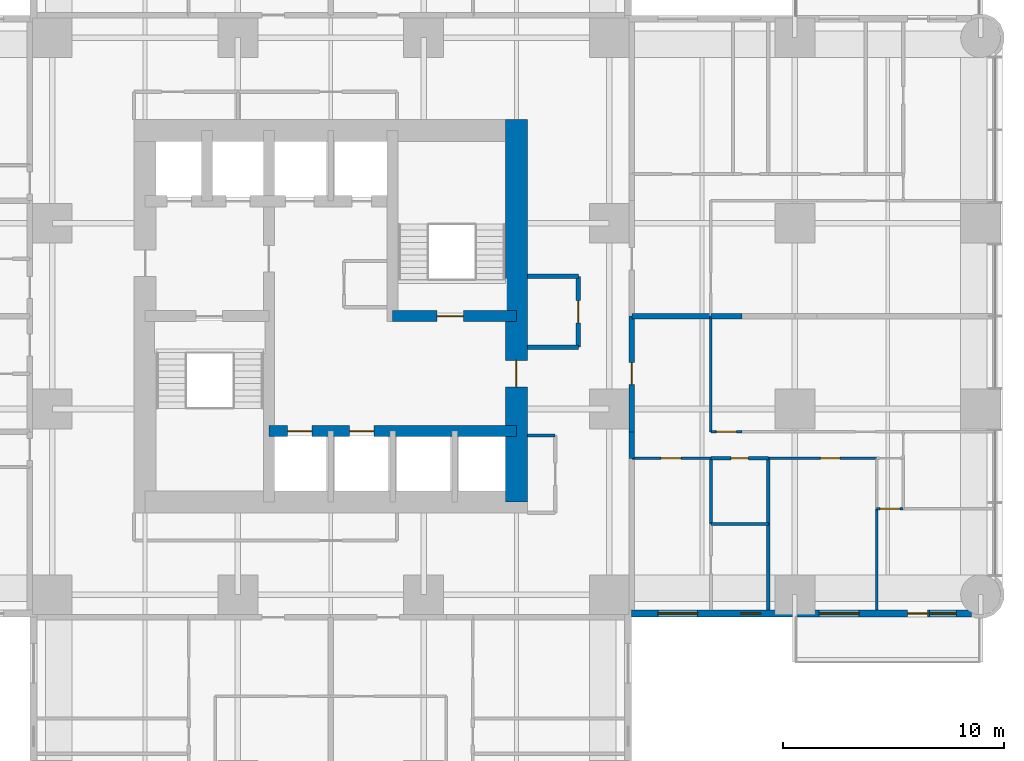
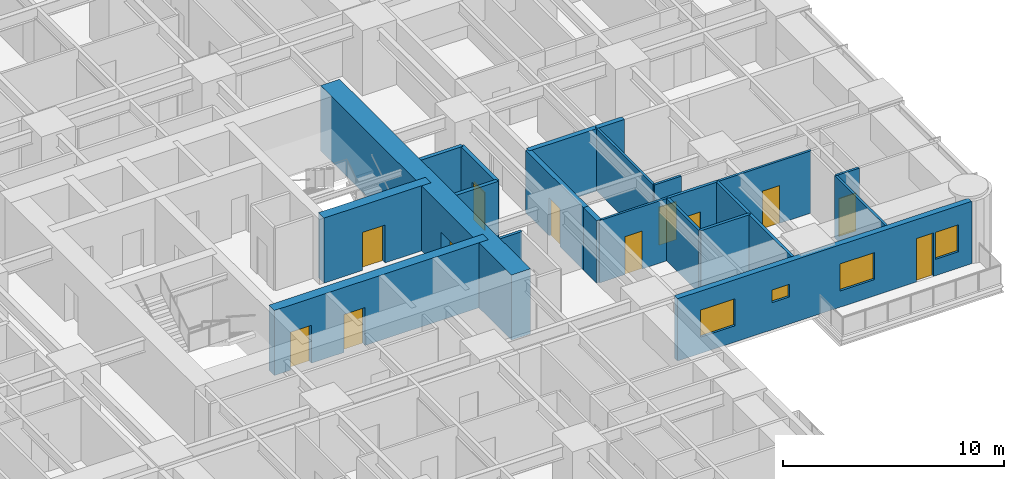
# One storey, part 10 of 17: 23 walls, 12 doors, 4 windows, 16 openings.
"""IFC4 building model written with IfcOpenShell, lengths in metres."""

from ifc_helpers import new_model, si_unit, direction, frame, frame_2d, origin, place, context, subcontext, project, spatial, rectangle, extrude, material, layer, layer_set, type_object, element, fill, save


model = new_model("IFC4")

# Units and contexts
model_context = context("Model", 3, precision=1e-05, world=origin(), true_north=direction((0.0, 1.0)))
body_context = subcontext(model_context, "Body", "Model", "MODEL_VIEW")
ifc_project = project(units=[si_unit("LENGTHUNIT", "METRE"), si_unit("AREAUNIT", "SQUARE_METRE"), si_unit("VOLUMEUNIT", "CUBIC_METRE"), si_unit("PLANEANGLEUNIT", "RADIAN"), si_unit("MASSUNIT", "GRAM", prefix="KILO")], contexts=[model_context])

# Site, building, storey
site_placement = place(None, origin())
site = spatial("IfcSite", under=ifc_project, at=site_placement, CompositionType="ELEMENT")
building_placement = place(site_placement, origin())
building = spatial("IfcBuilding", under=site, at=building_placement, Name="Torre Alcanfor", CompositionType="ELEMENT")
storey_placement = place(building_placement, frame((0.0, 0.0, 77.699951171875)))
storey = spatial("IfcBuildingStorey", under=building, at=storey_placement, Name="L19", CompositionType="ELEMENT", Elevation=77.699951171875)

# Wall, opening, door
ifc_material_1 = material(Name="Concrete block masonry, hollow blocks NMX-C-404 9 MPa", Category="masonry")
ifc_layer_1 = layer(ifc_material_1, 0.25)
ifc_layer_set_1 = layer_set([ifc_layer_1], Name="Apartment entrance wall 250 EI 60")
wall_type_1 = type_object("IfcWallType", Name="Apartment entrance wall 250 EI 60", PredefinedType="PARTITIONING", material=ifc_layer_set_1)
wall_1_placement = place(storey_placement, frame((43.02490234375, 29.39990234375, 0.0), z_axis=(0.0, 0.0, 1.0), x_axis=(0.0, -1.0, 0.0)))
wall_1 = element("IfcWall", 1, at=wall_1_placement, inside=storey, type_object=wall_type_1, Name="Partition L19-CORR / L19-E2-ZAG", PredefinedType="PARTITIONING", context=body_context, shape_type="SweptSolid", body=[
    extrude(rectangle(XDim=5.22900390625, YDim=0.25, at=frame_2d((2.614501953125, 0.0))), origin(), (0.0, 0.0, 1.0), 3.449951171875),
])
opening_1_placement = place(wall_1_placement, frame((2.10009765625, 0.0, 0.0)))
opening_1 = element("IfcOpeningElement", 2, at=opening_1_placement, cuts=wall_1, Name="Opening D-A1", PredefinedType="OPENING", context=body_context, shape_type="SweptSolid", body=[
    extrude(rectangle(XDim=1.0, YDim=2.10009765625, at=frame_2d((0.5, 1.050048828125))), frame((0.0, 0.135009765625, 0.0), z_axis=(0.0, -1.0, 0.0), x_axis=(1.0, 0.0, 0.0)), (0.0, 0.0, 1.0), 0.27001953125),
])
ifc_material_2 = material(Name="Galvanised steel sheet ASTM A653", Category="steel")
door_type_1 = type_object("IfcDoorType", Name="Apartment entrance door FD60 1000x2100", OperationType="SINGLE_SWING_LEFT", PredefinedType="DOOR", material=ifc_material_2)
door_1_placement = place(opening_1_placement, origin())
door_1 = element("IfcDoor", 3, at=door_1_placement, inside=storey, type_object=door_type_1, Name="Apartment entrance L19-E2", OperationType="SINGLE_SWING_LEFT", OverallHeight=2.10009765625, OverallWidth=1.0, PredefinedType="DOOR", context=body_context, shape_type="SweptSolid", body=[
    extrude(rectangle(XDim=1.0, YDim=2.10009765625, at=frame_2d((0.5, 1.050048828125))), frame((0.0, 0.02490234375, 0.0), z_axis=(0.0, -1.0, 0.0), x_axis=(1.0, 0.0, 0.0)), (0.0, 0.0, 1.0), 0.050048828125),
])
fill(opening_1, door_1)

# Walls
wall_2_placement = place(storey_placement, frame((43.02490234375, 24.1708984375, 0.0), z_axis=(0.0, 0.0, 1.0), x_axis=(0.0, -1.0, 0.0)))
element("IfcWall", 4, at=wall_2_placement, inside=storey, type_object=wall_type_1, Name="Partition L19-CORR / L19-E2-HALL", PredefinedType="PARTITIONING", context=body_context, shape_type="SweptSolid", body=[
    extrude(rectangle(XDim=1.199951171875, YDim=0.25, at=frame_2d((0.60009765625, 0.0))), origin(), (0.0, 0.0, 1.0), 3.449951171875),
])
ifc_material_3 = material(Name="Gypsum board on steel studs", Category="steel")
ifc_layer_2 = layer(ifc_material_3, 0.1201171875)
ifc_layer_set_2 = layer_set([ifc_layer_2], Name="Apartment partition 120")
wall_type_2 = type_object("IfcWallType", Name="Apartment partition 120", PredefinedType="PARTITIONING", material=ifc_layer_set_2)
wall_3_placement = place(storey_placement, frame((46.60009765625, 29.39990234375, 0.0), z_axis=(0.0, 0.0, 1.0), x_axis=(0.0, -1.0, 0.0)))
element("IfcWall", 5, at=wall_3_placement, inside=storey, type_object=wall_type_2, Name="Partition L19-E2-ZAG / L19-E2-LAUND", PredefinedType="PARTITIONING", context=body_context, shape_type="SweptSolid", body=[
    extrude(rectangle(XDim=5.22900390625, YDim=0.1201171875, at=frame_2d((2.614501953125, 0.0))), origin(), (0.0, 0.0, 1.0), 3.449951171875),
])

# Wall, opening, door
wall_4_placement = place(storey_placement, frame((48.0, 24.1708984375, 0.0), z_axis=(0.0, 0.0, 1.0), x_axis=(-1.0, 0.0, 0.0)))
wall_4 = element("IfcWall", 6, at=wall_4_placement, inside=storey, type_object=wall_type_2, Name="Partition L19-E2-LAUND / L19-E2-HALL", PredefinedType="PARTITIONING", context=body_context, shape_type="SweptSolid", body=[
    extrude(rectangle(XDim=1.39990234375, YDim=0.1201171875, at=frame_2d((0.699951171875, 0.0))), origin(), (0.0, 0.0, 1.0), 3.449951171875),
])
opening_2_placement = place(wall_4_placement, frame((0.25, 0.0, 0.0)))
opening_2 = element("IfcOpeningElement", 7, at=opening_2_placement, cuts=wall_4, Name="Opening D-R1", PredefinedType="OPENING", context=body_context, shape_type="SweptSolid", body=[
    extrude(rectangle(XDim=0.89990234375, YDim=2.10009765625, at=frame_2d((0.449951171875, 1.050048828125))), frame((0.0, 0.070068359375, 0.0), z_axis=(0.0, -1.0, 0.0), x_axis=(1.0, 0.0, 0.0)), (0.0, 0.0, 1.0), 0.14013671875),
])
ifc_material_4 = material(Name="Timber", Category="wood")
door_type_2 = type_object("IfcDoorType", Name="Internal door 900x2100", OperationType="SINGLE_SWING_LEFT", PredefinedType="DOOR", material=ifc_material_4)
door_2_placement = place(opening_2_placement, frame((0.89990234375, 0.0, 0.0), z_axis=(0.0, 0.0, 1.0), x_axis=(-1.0, 0.0, 0.0)))
door_2 = element("IfcDoor", 8, at=door_2_placement, inside=storey, type_object=door_type_2, Name="Door L19-E2 laund", OperationType="SINGLE_SWING_RIGHT", OverallHeight=2.10009765625, OverallWidth=0.89990234375, PredefinedType="DOOR", context=body_context, shape_type="SweptSolid", body=[
    extrude(rectangle(XDim=0.89990234375, YDim=2.10009765625, at=frame_2d((0.449951171875, 1.050048828125))), frame((0.0, 0.025146484375, 0.0), z_axis=(0.0, -1.0, 0.0), x_axis=(1.0, 0.0, 0.0)), (0.0, 0.0, 1.0), 0.050048828125),
])
fill(opening_2, door_2)

wall_5_placement = place(storey_placement, frame((46.60009765625, 22.970947265625, 0.0), z_axis=(0.0, 0.0, 1.0), x_axis=(-1.0, 0.0, 0.0)))
wall_5 = element("IfcWall", 9, at=wall_5_placement, inside=storey, type_object=wall_type_2, Name="Partition L19-E2-HALL / L19-E2-SERV", PredefinedType="PARTITIONING", context=body_context, shape_type="SweptSolid", body=[
    extrude(rectangle(XDim=3.5751953125, YDim=0.1201171875, at=frame_2d((1.78759765625, 0.0))), origin(), (0.0, 0.0, 1.0), 3.449951171875),
])
opening_3_placement = place(wall_5_placement, frame((1.35009765625, 0.0, 0.0)))
opening_3 = element("IfcOpeningElement", 10, at=opening_3_placement, cuts=wall_5, Name="Opening D-R1", PredefinedType="OPENING", context=body_context, shape_type="SweptSolid", body=[
    extrude(rectangle(XDim=0.89990234375, YDim=2.10009765625, at=frame_2d((0.449951171875, 1.050048828125))), frame((0.0, 0.070068359375, 0.0), z_axis=(0.0, -1.0, 0.0), x_axis=(1.0, 0.0, 0.0)), (0.0, 0.0, 1.0), 0.14013671875),
])
door_3_placement = place(opening_3_placement, origin())
door_3 = element("IfcDoor", 11, at=door_3_placement, inside=storey, type_object=door_type_2, Name="Door L19-E2 serv", OperationType="SINGLE_SWING_RIGHT", OverallHeight=2.10009765625, OverallWidth=0.89990234375, PredefinedType="DOOR", context=body_context, shape_type="SweptSolid", body=[
    extrude(rectangle(XDim=0.89990234375, YDim=2.10009765625, at=frame_2d((0.449951171875, 1.050048828125))), frame((0.0, 0.02490234375, 0.0), z_axis=(0.0, -1.0, 0.0), x_axis=(1.0, 0.0, 0.0)), (0.0, 0.0, 1.0), 0.050048828125),
])
fill(opening_3, door_3)

wall_6_placement = place(storey_placement, frame((54.10009765625, 22.970947265625, 0.0), z_axis=(0.0, 0.0, 1.0), x_axis=(-1.0, 0.0, 0.0)))
wall_6 = element("IfcWall", 12, at=wall_6_placement, inside=storey, type_object=wall_type_2, Name="Partition L19-E2-HALL / L19-E2-BED3", PredefinedType="PARTITIONING", context=body_context, shape_type="SweptSolid", body=[
    extrude(rectangle(XDim=4.900146484375, YDim=0.1201171875, at=frame_2d((2.4501953125, 0.0))), origin(), (0.0, 0.0, 1.0), 3.449951171875),
])
opening_4_placement = place(wall_6_placement, frame((1.64990234375, 0.0, 0.0)))
opening_4 = element("IfcOpeningElement", 13, at=opening_4_placement, cuts=wall_6, Name="Opening D-R1", PredefinedType="OPENING", context=body_context, shape_type="SweptSolid", body=[
    extrude(rectangle(XDim=0.89990234375, YDim=2.10009765625, at=frame_2d((0.449951171875, 1.050048828125))), frame((0.0, 0.070068359375, 0.0), z_axis=(0.0, -1.0, 0.0), x_axis=(1.0, 0.0, 0.0)), (0.0, 0.0, 1.0), 0.14013671875),
])
door_4_placement = place(opening_4_placement, origin())
door_4 = element("IfcDoor", 14, at=door_4_placement, inside=storey, type_object=door_type_2, Name="Door L19-E2 bed3", OperationType="SINGLE_SWING_LEFT", OverallHeight=2.10009765625, OverallWidth=0.89990234375, PredefinedType="DOOR", context=body_context, shape_type="SweptSolid", body=[
    extrude(rectangle(XDim=0.89990234375, YDim=2.10009765625, at=frame_2d((0.449951171875, 1.050048828125))), frame((0.0, 0.02490234375, 0.0), z_axis=(0.0, -1.0, 0.0), x_axis=(1.0, 0.0, 0.0)), (0.0, 0.0, 1.0), 0.050048828125),
])
fill(opening_4, door_4)

# Wall
wall_7_placement = place(storey_placement, frame((54.10009765625, 20.68603515625, 0.0), z_axis=(0.0, 0.0, 1.0), x_axis=(0.0, -1.0, 0.0)))
element("IfcWall", 15, at=wall_7_placement, inside=storey, type_object=wall_type_2, Name="Partition L19-E2-BED3 / L19-E2-MASTER", PredefinedType="PARTITIONING", context=body_context, shape_type="SweptSolid", body=[
    extrude(rectangle(XDim=4.5859375, YDim=0.1201171875, at=frame_2d((2.29296875, 0.0))), origin(), (0.0, 0.0, 1.0), 3.449951171875),
])

# Wall, opening, door
wall_8_placement = place(storey_placement, frame((55.300048828125, 20.68603515625, 0.0), z_axis=(0.0, 0.0, 1.0), x_axis=(-1.0, 0.0, 0.0)))
wall_8 = element("IfcWall", 16, at=wall_8_placement, inside=storey, type_object=wall_type_2, Name="Partition L19-E2-VEST / L19-E2-MASTER", PredefinedType="PARTITIONING", context=body_context, shape_type="SweptSolid", body=[
    extrude(rectangle(XDim=1.199951171875, YDim=0.1201171875, at=frame_2d((0.60009765625, 0.0))), origin(), (0.0, 0.0, 1.0), 3.449951171875),
])
opening_5_placement = place(wall_8_placement, frame((0.14990234375, 0.0, 0.0)))
opening_5 = element("IfcOpeningElement", 17, at=opening_5_placement, cuts=wall_8, Name="Opening D-R1", PredefinedType="OPENING", context=body_context, shape_type="SweptSolid", body=[
    extrude(rectangle(XDim=0.89990234375, YDim=2.10009765625, at=frame_2d((0.449951171875, 1.050048828125))), frame((0.0, 0.070068359375, 0.0), z_axis=(0.0, -1.0, 0.0), x_axis=(1.0, 0.0, 0.0)), (0.0, 0.0, 1.0), 0.14013671875),
])
door_5_placement = place(opening_5_placement, frame((0.89990234375, 0.0, 0.0), z_axis=(0.0, 0.0, 1.0), x_axis=(-1.0, 0.0, 0.0)))
door_5 = element("IfcDoor", 18, at=door_5_placement, inside=storey, type_object=door_type_2, Name="Door L19-E2 master", OperationType="SINGLE_SWING_RIGHT", OverallHeight=2.10009765625, OverallWidth=0.89990234375, PredefinedType="DOOR", context=body_context, shape_type="SweptSolid", body=[
    extrude(rectangle(XDim=0.89990234375, YDim=2.10009765625, at=frame_2d((0.449951171875, 1.050048828125))), frame((0.0, 0.025146484375, 0.0), z_axis=(0.0, -1.0, 0.0), x_axis=(1.0, 0.0, 0.0)), (0.0, 0.0, 1.0), 0.050048828125),
])
fill(opening_5, door_5)

# Wall, openings, doors
ifc_material_5 = material(Name="Concrete f'c 70 MPa", Category="concrete")
ifc_layer_3 = layer(ifc_material_5, 0.5)
ifc_layer_set_3 = layer_set([ifc_layer_3], Name="Core inner wall 500 f'c70")
wall_type_3 = type_object("IfcWallType", Name="Core inner wall 500 f'c70", PredefinedType="SHEAR", material=ifc_layer_set_3)
wall_9_placement = place(storey_placement, frame((26.60009765625, 24.199951171875, 0.0), z_axis=(0.0, 0.0, 1.0), x_axis=(1.0, 0.0, 0.0)))
wall_9 = element("IfcWall", 19, at=wall_9_placement, inside=storey, type_object=wall_type_3, Name="Core wall Y242 L19", PredefinedType="SHEAR", context=body_context, shape_type="SweptSolid", body=[
    extrude(rectangle(XDim=11.199951171875, YDim=0.5, at=frame_2d((5.60009765625, 0.0))), origin(), (0.0, 0.0, 1.0), 3.60009765625),
])
opening_6_placement = place(wall_9_placement, frame((0.85009765625, 0.0, 0.0)))
opening_6 = element("IfcOpeningElement", 20, at=opening_6_placement, cuts=wall_9, Name="Opening LD1", PredefinedType="OPENING", context=body_context, shape_type="SweptSolid", body=[
    extrude(rectangle(XDim=1.10009765625, YDim=2.10009765625, at=frame_2d((0.550048828125, 1.050048828125))), frame((0.0, 0.260009765625, 0.0), z_axis=(0.0, -1.0, 0.0), x_axis=(1.0, 0.0, 0.0)), (0.0, 0.0, 1.0), 0.52001953125),
])
opening_7_placement = place(wall_9_placement, frame((3.64990234375, 0.0, 0.0)))
opening_7 = element("IfcOpeningElement", 21, at=opening_7_placement, cuts=wall_9, Name="Opening LD1", PredefinedType="OPENING", context=body_context, shape_type="SweptSolid", body=[
    extrude(rectangle(XDim=1.10009765625, YDim=2.10009765625, at=frame_2d((0.550048828125, 1.050048828125))), frame((0.0, 0.260009765625, 0.0), z_axis=(0.0, -1.0, 0.0), x_axis=(1.0, 0.0, 0.0)), (0.0, 0.0, 1.0), 0.52001953125),
])
ifc_material_6 = material(Name="Galvanised steel sheet ASTM A653", Category="steel")
door_type_3 = type_object("IfcDoorType", Name="Lift landing door 1100x2100", OperationType="DOUBLE_DOOR_SLIDING", PredefinedType="DOOR", material=ifc_material_6)
door_6_placement = place(opening_6_placement, origin())
door_6 = element("IfcDoor", 22, at=door_6_placement, inside=storey, type_object=door_type_3, Name="Lift landing door PA1 L19", OperationType="DOUBLE_DOOR_SLIDING", OverallHeight=2.10009765625, OverallWidth=1.10009765625, PredefinedType="DOOR", context=body_context, shape_type="SweptSolid", body=[
    extrude(rectangle(XDim=1.10009765625, YDim=2.10009765625, at=frame_2d((0.550048828125, 1.050048828125))), frame((0.0, 0.02490234375, 0.0), z_axis=(0.0, -1.0, 0.0), x_axis=(1.0, 0.0, 0.0)), (0.0, 0.0, 1.0), 0.050048828125),
])
fill(opening_6, door_6)
door_7_placement = place(opening_7_placement, origin())
door_7 = element("IfcDoor", 23, at=door_7_placement, inside=storey, type_object=door_type_3, Name="Lift landing door PA2 L19", OperationType="DOUBLE_DOOR_SLIDING", OverallHeight=2.10009765625, OverallWidth=1.10009765625, PredefinedType="DOOR", context=body_context, shape_type="SweptSolid", body=[
    extrude(rectangle(XDim=1.10009765625, YDim=2.10009765625, at=frame_2d((0.550048828125, 1.050048828125))), frame((0.0, 0.02490234375, 0.0), z_axis=(0.0, -1.0, 0.0), x_axis=(1.0, 0.0, 0.0)), (0.0, 0.0, 1.0), 0.050048828125),
])
fill(opening_7, door_7)

# Wall, opening, door
wall_10_placement = place(storey_placement, frame((32.199951171875, 29.39990234375, 0.0), z_axis=(0.0, 0.0, 1.0), x_axis=(1.0, 0.0, 0.0)))
wall_10 = element("IfcWall", 24, at=wall_10_placement, inside=storey, type_object=wall_type_3, Name="Core wall Y294E L19", PredefinedType="SHEAR", context=body_context, shape_type="SweptSolid", body=[
    extrude(rectangle(XDim=5.60009765625, YDim=0.5, at=frame_2d((2.800048828125, 0.0))), origin(), (0.0, 0.0, 1.0), 3.60009765625),
])
opening_8_placement = place(wall_10_placement, frame((2.0, 0.0, 0.0)))
opening_8 = element("IfcOpeningElement", 25, at=opening_8_placement, cuts=wall_10, Name="Opening D-S2", PredefinedType="OPENING", context=body_context, shape_type="SweptSolid", body=[
    extrude(rectangle(XDim=1.199951171875, YDim=2.10009765625, at=frame_2d((0.60009765625, 1.050048828125))), frame((0.0, 0.260009765625, 0.0), z_axis=(0.0, -1.0, 0.0), x_axis=(1.0, 0.0, 0.0)), (0.0, 0.0, 1.0), 0.52001953125),
])
ifc_material_7 = material(Name="Galvanised steel sheet ASTM A653", Category="steel")
door_type_4 = type_object("IfcDoorType", Name="Stair enclosure door FD120 1200x2100", OperationType="SINGLE_SWING_LEFT", PredefinedType="DOOR", material=ifc_material_7)
door_8_placement = place(opening_8_placement, origin())
door_8 = element("IfcDoor", 26, at=door_8_placement, inside=storey, type_object=door_type_4, Name="Stair S2 door L19", OperationType="SINGLE_SWING_LEFT", OverallHeight=2.10009765625, OverallWidth=1.199951171875, PredefinedType="DOOR", context=body_context, shape_type="SweptSolid", body=[
    extrude(rectangle(XDim=1.199951171875, YDim=2.10009765625, at=frame_2d((0.60009765625, 1.050048828125))), frame((0.0, 0.02490234375, 0.0), z_axis=(0.0, -1.0, 0.0), x_axis=(1.0, 0.0, 0.0)), (0.0, 0.0, 1.0), 0.050048828125),
])
fill(opening_8, door_8)

ifc_material_8 = material(Name="Concrete f'c 70 MPa", Category="concrete")
ifc_layer_4 = layer(ifc_material_8, 1.0)
ifc_layer_set_4 = layer_set([ifc_layer_4], Name="Core wall 1000 f'c70")
wall_type_4 = type_object("IfcWallType", Name="Core wall 1000 f'c70", PredefinedType="SHEAR", material=ifc_layer_set_4)
wall_11_placement = place(storey_placement, frame((37.800048828125, 21.0, 0.0), z_axis=(0.0, 0.0, 1.0), x_axis=(0.0, 1.0, 0.0)))
wall_11 = element("IfcWall", 27, at=wall_11_placement, inside=storey, type_object=wall_type_4, Name="Core wall OUT-E L19", PredefinedType="SHEAR", context=body_context, shape_type="SweptSolid", body=[
    extrude(rectangle(XDim=17.300048828125, YDim=1.0, at=frame_2d((8.64990234375, 0.0))), origin(), (0.0, 0.0, 1.0), 3.60009765625),
])
opening_9_placement = place(wall_11_placement, frame((5.199951171875, 0.0, 0.0)))
opening_9 = element("IfcOpeningElement", 28, at=opening_9_placement, cuts=wall_11, Name="Opening D-L1", PredefinedType="OPENING", context=body_context, shape_type="SweptSolid", body=[
    extrude(rectangle(XDim=1.199951171875, YDim=2.10009765625, at=frame_2d((0.60009765625, 1.050048828125))), frame((0.0, 0.510009765625, 0.0), z_axis=(0.0, -1.0, 0.0), x_axis=(1.0, 0.0, 0.0)), (0.0, 0.0, 1.0), 1.02001953125),
])
ifc_material_9 = material(Name="Galvanised steel sheet ASTM A653", Category="steel")
door_type_5 = type_object("IfcDoorType", Name="Lobby door FD120 1200x2100", OperationType="SINGLE_SWING_LEFT", PredefinedType="DOOR", material=ifc_material_9)
door_9_placement = place(opening_9_placement, origin())
door_9 = element("IfcDoor", 29, at=door_9_placement, inside=storey, type_object=door_type_5, Name="Lift lobby entrance door L19", OperationType="SINGLE_SWING_LEFT", OverallHeight=2.10009765625, OverallWidth=1.199951171875, PredefinedType="DOOR", context=body_context, shape_type="SweptSolid", body=[
    extrude(rectangle(XDim=1.199951171875, YDim=2.10009765625, at=frame_2d((0.60009765625, 1.050048828125))), frame((0.0, 0.02490234375, 0.0), z_axis=(0.0, -1.0, 0.0), x_axis=(1.0, 0.0, 0.0)), (0.0, 0.0, 1.0), 0.050048828125),
])
fill(opening_9, door_9)

# Wall, openings, door, windows
ifc_material_10 = material(Name="Limestone cladding", Category="masonry")
ifc_layer_5 = layer(ifc_material_10, 0.0400390625, Name="Facing")
ifc_material_11 = material(Name="Ventilated air cavity")
ifc_layer_6 = layer(ifc_material_11, 0.02001953125, ventilated=True, Name="Ventilated joint")
ifc_material_12 = material(Name="Mineral wool insulation", Category="insulation")
ifc_layer_7 = layer(ifc_material_12, 0.10009765625, Name="Insulation")
ifc_material_13 = material(Name="Concrete f'c 35 MPa", Category="concrete")
ifc_layer_8 = layer(ifc_material_13, 0.139892578125, Name="Backing")
ifc_layer_set_5 = layer_set([ifc_layer_5, ifc_layer_6, ifc_layer_7, ifc_layer_8], Name="External wall stone-clad 300")
wall_type_5 = type_object("IfcWallType", Name="External wall stone-clad 300", PredefinedType="SOLIDWALL", material=ifc_layer_set_5)
wall_12_placement = place(storey_placement, frame((43.0, 15.949951171875, 0.0), z_axis=(0.0, 0.0, 1.0), x_axis=(1.0, 0.0, 0.0)))
wall_12 = element("IfcWall", 30, at=wall_12_placement, inside=storey, type_object=wall_type_5, Name="External wall L19 7", PredefinedType="SOLIDWALL", context=body_context, shape_type="SweptSolid", body=[
    extrude(rectangle(XDim=15.39990234375, YDim=0.300048828125, at=frame_2d((7.699951171875, 0.0))), origin(), (0.0, 0.0, 1.0), 3.449951171875),
])
opening_10_placement = place(wall_12_placement, frame((1.199951171875, 0.0, 0.89990234375)))
opening_10 = element("IfcOpeningElement", 31, at=opening_10_placement, cuts=wall_12, Name="Opening W2", PredefinedType="OPENING", context=body_context, shape_type="SweptSolid", body=[
    extrude(rectangle(XDim=1.800048828125, YDim=1.5, at=frame_2d((0.89990234375, 0.75))), frame((0.0, 0.159912109375, 0.0), z_axis=(0.0, -1.0, 0.0), x_axis=(1.0, 0.0, 0.0)), (0.0, 0.0, 1.0), 0.320068359375),
])
opening_11_placement = place(wall_12_placement, frame((4.949951171875, 0.0, 1.5)))
opening_11 = element("IfcOpeningElement", 32, at=opening_11_placement, cuts=wall_12, Name="Opening W3", PredefinedType="OPENING", context=body_context, shape_type="SweptSolid", body=[
    extrude(rectangle(XDim=0.89990234375, YDim=0.699951171875, at=frame_2d((0.449951171875, 0.35009765625))), frame((0.0, 0.159912109375, 0.0), z_axis=(0.0, -1.0, 0.0), x_axis=(1.0, 0.0, 0.0)), (0.0, 0.0, 1.0), 0.320068359375),
])
opening_12_placement = place(wall_12_placement, frame((8.5, 0.0, 0.89990234375)))
opening_12 = element("IfcOpeningElement", 33, at=opening_12_placement, cuts=wall_12, Name="Opening W2", PredefinedType="OPENING", context=body_context, shape_type="SweptSolid", body=[
    extrude(rectangle(XDim=1.800048828125, YDim=1.5, at=frame_2d((0.89990234375, 0.75))), frame((0.0, 0.159912109375, 0.0), z_axis=(0.0, -1.0, 0.0), x_axis=(1.0, 0.0, 0.0)), (0.0, 0.0, 1.0), 0.320068359375),
])
opening_13_placement = place(wall_12_placement, frame((12.5, 0.0, 0.0)))
opening_13 = element("IfcOpeningElement", 34, at=opening_13_placement, cuts=wall_12, Name="Opening D-B1", PredefinedType="OPENING", context=body_context, shape_type="SweptSolid", body=[
    extrude(rectangle(XDim=0.89990234375, YDim=2.39990234375, at=frame_2d((0.449951171875, 1.199951171875))), frame((0.0, 0.159912109375, 0.0), z_axis=(0.0, -1.0, 0.0), x_axis=(1.0, 0.0, 0.0)), (0.0, 0.0, 1.0), 0.320068359375),
])
opening_14_placement = place(wall_12_placement, frame((13.5, 0.0, 0.89990234375)))
opening_14 = element("IfcOpeningElement", 35, at=opening_14_placement, cuts=wall_12, Name="Opening W4", PredefinedType="OPENING", context=body_context, shape_type="SweptSolid", body=[
    extrude(rectangle(XDim=1.199951171875, YDim=1.5, at=frame_2d((0.60009765625, 0.75))), frame((0.0, 0.159912109375, 0.0), z_axis=(0.0, -1.0, 0.0), x_axis=(1.0, 0.0, 0.0)), (0.0, 0.0, 1.0), 0.320068359375),
])
ifc_material_14 = material(Name="Aluminium and glass", Category="aluminium")
door_type_6 = type_object("IfcDoorType", Name="Balcony door glazed 900x2400", OperationType="SINGLE_SWING_LEFT", PredefinedType="DOOR", material=ifc_material_14)
door_10_placement = place(opening_13_placement, origin())
door_10 = element("IfcDoor", 36, at=door_10_placement, inside=storey, type_object=door_type_6, Name="Balcony door L19-E2", OperationType="SINGLE_SWING_LEFT", OverallHeight=2.39990234375, OverallWidth=0.89990234375, PredefinedType="DOOR", context=body_context, shape_type="SweptSolid", body=[
    extrude(rectangle(XDim=0.89990234375, YDim=2.39990234375, at=frame_2d((0.449951171875, 1.199951171875))), frame((0.0, 0.02490234375, 0.0), z_axis=(0.0, -1.0, 0.0), x_axis=(1.0, 0.0, 0.0)), (0.0, 0.0, 1.0), 0.050048828125),
])
fill(opening_13, door_10)
ifc_material_15 = material(Name="Aluminium frame with clear double glazing", Category="aluminium")
window_type_1 = type_object("IfcWindowType", Name="Window bathroom 900x700", PartitioningType="SINGLE_PANEL", PredefinedType="WINDOW", material=ifc_material_15)
window_1_placement = place(opening_11_placement, origin())
window_1 = element("IfcWindow", 37, at=window_1_placement, inside=storey, type_object=window_type_1, Name="Window W3 L19-E2", OverallHeight=0.699951171875, OverallWidth=0.89990234375, PartitioningType="SINGLE_PANEL", PredefinedType="WINDOW", context=body_context, shape_type="SweptSolid", body=[
    extrude(rectangle(XDim=0.89990234375, YDim=0.699951171875, at=frame_2d((0.449951171875, 0.35009765625))), frame((0.0, 0.030029296875, 0.0), z_axis=(0.0, -1.0, 0.0), x_axis=(1.0, 0.0, 0.0)), (0.0, 0.0, 1.0), 0.06005859375),
])
fill(opening_11, window_1)
ifc_material_16 = material(Name="Aluminium frame with clear double glazing", Category="aluminium")
window_type_2 = type_object("IfcWindowType", Name="Window bedroom 1200x1500", PartitioningType="SINGLE_PANEL", PredefinedType="WINDOW", material=ifc_material_16)
window_2_placement = place(opening_14_placement, origin())
window_2 = element("IfcWindow", 38, at=window_2_placement, inside=storey, type_object=window_type_2, Name="Window W4 L19-E2", OverallHeight=1.5, OverallWidth=1.199951171875, PartitioningType="SINGLE_PANEL", PredefinedType="WINDOW", context=body_context, shape_type="SweptSolid", body=[
    extrude(rectangle(XDim=1.199951171875, YDim=1.5, at=frame_2d((0.60009765625, 0.75))), frame((0.0, 0.030029296875, 0.0), z_axis=(0.0, -1.0, 0.0), x_axis=(1.0, 0.0, 0.0)), (0.0, 0.0, 1.0), 0.06005859375),
])
fill(opening_14, window_2)
ifc_material_17 = material(Name="Aluminium frame with clear double glazing", Category="aluminium")
window_type_3 = type_object("IfcWindowType", Name="Window bedroom 1800x1500", PartitioningType="SINGLE_PANEL", PredefinedType="WINDOW", material=ifc_material_17)
window_3_placement = place(opening_10_placement, origin())
window_3 = element("IfcWindow", 39, at=window_3_placement, inside=storey, type_object=window_type_3, Name="Window W2 L19-E2", OverallHeight=1.5, OverallWidth=1.800048828125, PartitioningType="SINGLE_PANEL", PredefinedType="WINDOW", context=body_context, shape_type="SweptSolid", body=[
    extrude(rectangle(XDim=1.800048828125, YDim=1.5, at=frame_2d((0.89990234375, 0.75))), frame((0.0, 0.030029296875, 0.0), z_axis=(0.0, -1.0, 0.0), x_axis=(1.0, 0.0, 0.0)), (0.0, 0.0, 1.0), 0.06005859375),
])
fill(opening_10, window_3)
window_4_placement = place(opening_12_placement, origin())
window_4 = element("IfcWindow", 40, at=window_4_placement, inside=storey, type_object=window_type_3, Name="Window W2 L19-E2", OverallHeight=1.5, OverallWidth=1.800048828125, PartitioningType="SINGLE_PANEL", PredefinedType="WINDOW", context=body_context, shape_type="SweptSolid", body=[
    extrude(rectangle(XDim=1.800048828125, YDim=1.5, at=frame_2d((0.89990234375, 0.75))), frame((0.0, 0.030029296875, 0.0), z_axis=(0.0, -1.0, 0.0), x_axis=(1.0, 0.0, 0.0)), (0.0, 0.0, 1.0), 0.06005859375),
])
fill(opening_12, window_4)

# Walls
ifc_material_18 = material(Name="Concrete block masonry, hollow blocks NMX-C-404 9 MPa", Category="masonry")
ifc_layer_9 = layer(ifc_material_18, 0.25)
ifc_layer_set_6 = layer_set([ifc_layer_9], Name="Party wall 250 EI 60")
wall_type_6 = type_object("IfcWallType", Name="Party wall 250 EI 60", PredefinedType="PARTITIONING", material=ifc_layer_set_6)
wall_13_placement = place(storey_placement, frame((43.02490234375, 29.39990234375, 0.0), z_axis=(0.0, 0.0, 1.0), x_axis=(1.0, 0.0, 0.0)))
element("IfcWall", 41, at=wall_13_placement, inside=storey, type_object=wall_type_6, Name="Partition L19-E1-ZAG / L19-E2-ZAG", PredefinedType="PARTITIONING", context=body_context, shape_type="SweptSolid", body=[
    extrude(rectangle(XDim=3.5751953125, YDim=0.25, at=frame_2d((1.78759765625, 0.0))), origin(), (0.0, 0.0, 1.0), 3.449951171875),
])
wall_14_placement = place(storey_placement, frame((46.60009765625, 29.39990234375, 0.0), z_axis=(0.0, 0.0, 1.0), x_axis=(1.0, 0.0, 0.0)))
element("IfcWall", 42, at=wall_14_placement, inside=storey, type_object=wall_type_6, Name="Partition L19-E1-KITCHEN / L19-E2-LAUND", PredefinedType="PARTITIONING", context=body_context, shape_type="SweptSolid", body=[
    extrude(rectangle(XDim=1.39990234375, YDim=0.25, at=frame_2d((0.699951171875, 0.0))), origin(), (0.0, 0.0, 1.0), 3.449951171875),
])
ifc_material_19 = material(Name="Concrete block masonry, hollow blocks NMX-C-404 9 MPa", Category="masonry")
ifc_layer_10 = layer(ifc_material_19, 0.199951171875)
ifc_layer_set_7 = layer_set([ifc_layer_10], Name="Plant room wall 200 EI 60")
wall_type_7 = type_object("IfcWallType", Name="Plant room wall 200 EI 60", PredefinedType="PARTITIONING", material=ifc_layer_set_7)
wall_15_placement = place(storey_placement, frame((38.300048828125, 28.0, 0.0), z_axis=(0.0, 0.0, 1.0), x_axis=(1.0, 0.0, 0.0)))
element("IfcWall", 43, at=wall_15_placement, inside=storey, type_object=wall_type_7, Name="Partition L19-CORR / L19-G04", PredefinedType="PARTITIONING", context=body_context, shape_type="SweptSolid", body=[
    extrude(rectangle(XDim=2.300048828125, YDim=0.199951171875, at=frame_2d((1.14990234375, 0.0))), origin(), (0.0, 0.0, 1.0), 3.449951171875),
])

# Wall, opening, door
wall_16_placement = place(storey_placement, frame((40.60009765625, 28.0, 0.0), z_axis=(0.0, 0.0, 1.0), x_axis=(0.0, 1.0, 0.0)))
wall_16 = element("IfcWall", 44, at=wall_16_placement, inside=storey, type_object=wall_type_7, Name="Partition L19-CORR / L19-G04", PredefinedType="PARTITIONING", context=body_context, shape_type="SweptSolid", body=[
    extrude(rectangle(XDim=3.199951171875, YDim=0.199951171875, at=frame_2d((1.60009765625, 0.0))), origin(), (0.0, 0.0, 1.0), 3.449951171875),
])
opening_15_placement = place(wall_16_placement, frame((1.10009765625, 0.0, 0.0)))
opening_15 = element("IfcOpeningElement", 45, at=opening_15_placement, cuts=wall_16, Name="Opening D-K1", PredefinedType="OPENING", context=body_context, shape_type="SweptSolid", body=[
    extrude(rectangle(XDim=1.0, YDim=2.10009765625, at=frame_2d((0.5, 1.050048828125))), frame((0.0, 0.10986328125, 0.0), z_axis=(0.0, -1.0, 0.0), x_axis=(1.0, 0.0, 0.0)), (0.0, 0.0, 1.0), 0.219970703125),
])
ifc_material_20 = material(Name="Galvanised steel sheet ASTM A653", Category="steel")
door_type_7 = type_object("IfcDoorType", Name="Core room door FD60 1000x2100", OperationType="SINGLE_SWING_LEFT", PredefinedType="DOOR", material=ifc_material_20)
door_11_placement = place(opening_15_placement, origin())
door_11 = element("IfcDoor", 46, at=door_11_placement, inside=storey, type_object=door_type_7, Name="Door L19-G04 refuse and recycling store", OperationType="SINGLE_SWING_LEFT", OverallHeight=2.10009765625, OverallWidth=1.0, PredefinedType="DOOR", context=body_context, shape_type="SweptSolid", body=[
    extrude(rectangle(XDim=1.0, YDim=2.10009765625, at=frame_2d((0.5, 1.050048828125))), frame((0.0, 0.02490234375, 0.0), z_axis=(0.0, -1.0, 0.0), x_axis=(1.0, 0.0, 0.0)), (0.0, 0.0, 1.0), 0.050048828125),
])
fill(opening_15, door_11)

# Walls
wall_17_placement = place(storey_placement, frame((40.60009765625, 31.199951171875, 0.0), z_axis=(0.0, 0.0, 1.0), x_axis=(-1.0, 0.0, 0.0)))
element("IfcWall", 47, at=wall_17_placement, inside=storey, type_object=wall_type_7, Name="Partition L19-CORR / L19-G04", PredefinedType="PARTITIONING", context=body_context, shape_type="SweptSolid", body=[
    extrude(rectangle(XDim=2.300048828125, YDim=0.199951171875, at=frame_2d((1.14990234375, 0.0))), origin(), (0.0, 0.0, 1.0), 3.449951171875),
])
ifc_material_21 = material(Name="Concrete block masonry, hollow blocks NMX-C-404 9 MPa", Category="masonry")
ifc_layer_11 = layer(ifc_material_21, 0.14990234375)
ifc_layer_set_8 = layer_set([ifc_layer_11], Name="Residents' room partition 150")
wall_type_8 = type_object("IfcWallType", Name="Residents' room partition 150", PredefinedType="PARTITIONING", material=ifc_layer_set_8)
wall_18_placement = place(storey_placement, frame((39.550048828125, 24.0, 0.0), z_axis=(0.0, 0.0, 1.0), x_axis=(-1.0, 0.0, 0.0)))
element("IfcWall", 48, at=wall_18_placement, inside=storey, type_object=wall_type_8, Name="Partition L19-CORR / L19-G03", PredefinedType="PARTITIONING", context=body_context, shape_type="SweptSolid", body=[
    extrude(rectangle(XDim=1.25, YDim=0.14990234375, at=frame_2d((0.625, 0.0))), origin(), (0.0, 0.0, 1.0), 3.449951171875),
])

# Wall, opening, door
ifc_material_22 = material(Name="Cement board on steel studs", Category="steel")
ifc_layer_12 = layer(ifc_material_22, 0.14990234375)
ifc_layer_set_9 = layer_set([ifc_layer_12], Name="Wet area partition 150")
wall_type_9 = type_object("IfcWallType", Name="Wet area partition 150", PredefinedType="PARTITIONING", material=ifc_layer_set_9)
wall_19_placement = place(storey_placement, frame((49.199951171875, 22.970947265625, 0.0), z_axis=(0.0, 0.0, 1.0), x_axis=(-1.0, 0.0, 0.0)))
wall_19 = element("IfcWall", 49, at=wall_19_placement, inside=storey, type_object=wall_type_9, Name="Partition L19-E2-HALL / L19-E2-BATH1", PredefinedType="PARTITIONING", context=body_context, shape_type="SweptSolid", body=[
    extrude(rectangle(XDim=2.599853515625, YDim=0.14990234375, at=frame_2d((1.2998046875, 0.0))), origin(), (0.0, 0.0, 1.0), 3.449951171875),
])
opening_16_placement = place(wall_19_placement, frame((0.89990234375, 0.0, 0.0)))
opening_16 = element("IfcOpeningElement", 50, at=opening_16_placement, cuts=wall_19, Name="Opening D-R2", PredefinedType="OPENING", context=body_context, shape_type="SweptSolid", body=[
    extrude(rectangle(XDim=0.800048828125, YDim=2.10009765625, at=frame_2d((0.39990234375, 1.050048828125))), frame((0.0, 0.0849609375, 0.0), z_axis=(0.0, -1.0, 0.0), x_axis=(1.0, 0.0, 0.0)), (0.0, 0.0, 1.0), 0.169921875),
])
ifc_material_23 = material(Name="Timber", Category="wood")
door_type_8 = type_object("IfcDoorType", Name="Bathroom door 800x2100", OperationType="SINGLE_SWING_LEFT", PredefinedType="DOOR", material=ifc_material_23)
door_12_placement = place(opening_16_placement, origin())
door_12 = element("IfcDoor", 51, at=door_12_placement, inside=storey, type_object=door_type_8, Name="Door L19-E2 bath1", OperationType="SINGLE_SWING_LEFT", OverallHeight=2.10009765625, OverallWidth=0.800048828125, PredefinedType="DOOR", context=body_context, shape_type="SweptSolid", body=[
    extrude(rectangle(XDim=0.800048828125, YDim=2.10009765625, at=frame_2d((0.39990234375, 1.050048828125))), frame((0.0, 0.02490234375, 0.0), z_axis=(0.0, -1.0, 0.0), x_axis=(1.0, 0.0, 0.0)), (0.0, 0.0, 1.0), 0.050048828125),
])
fill(opening_16, door_12)

# Walls
wall_20_placement = place(storey_placement, frame((46.60009765625, 22.970947265625, 0.0), z_axis=(0.0, 0.0, 1.0), x_axis=(0.0, -1.0, 0.0)))
element("IfcWall", 52, at=wall_20_placement, inside=storey, type_object=wall_type_9, Name="Partition L19-E2-SERV / L19-E2-BATH1", PredefinedType="PARTITIONING", context=body_context, shape_type="SweptSolid", body=[
    extrude(rectangle(XDim=2.970947265625, YDim=0.14990234375, at=frame_2d((1.4853515625, 0.0))), origin(), (0.0, 0.0, 1.0), 3.449951171875),
])
wall_21_placement = place(storey_placement, frame((49.199951171875, 20.0, 0.0), z_axis=(0.0, 0.0, 1.0), x_axis=(-1.0, 0.0, 0.0)))
element("IfcWall", 53, at=wall_21_placement, inside=storey, type_object=wall_type_9, Name="Partition L19-E2-BATH1 / L19-E2-SBATH", PredefinedType="PARTITIONING", context=body_context, shape_type="SweptSolid", body=[
    extrude(rectangle(XDim=2.599853515625, YDim=0.14990234375, at=frame_2d((1.2998046875, 0.0))), origin(), (0.0, 0.0, 1.0), 3.449951171875),
])
wall_22_placement = place(storey_placement, frame((49.199951171875, 22.970947265625, 0.0), z_axis=(0.0, 0.0, 1.0), x_axis=(0.0, -1.0, 0.0)))
element("IfcWall", 54, at=wall_22_placement, inside=storey, type_object=wall_type_9, Name="Partition L19-E2-BATH1 / L19-E2-BED3", PredefinedType="PARTITIONING", context=body_context, shape_type="SweptSolid", body=[
    extrude(rectangle(XDim=2.970947265625, YDim=0.14990234375, at=frame_2d((1.4853515625, 0.0))), origin(), (0.0, 0.0, 1.0), 3.449951171875),
])
wall_23_placement = place(storey_placement, frame((49.199951171875, 20.0, 0.0), z_axis=(0.0, 0.0, 1.0), x_axis=(0.0, -1.0, 0.0)))
element("IfcWall", 55, at=wall_23_placement, inside=storey, type_object=wall_type_9, Name="Partition L19-E2-SBATH / L19-E2-BED3", PredefinedType="PARTITIONING", context=body_context, shape_type="SweptSolid", body=[
    extrude(rectangle(XDim=3.89990234375, YDim=0.14990234375, at=frame_2d((1.949951171875, 0.0))), origin(), (0.0, 0.0, 1.0), 3.449951171875),
])

save(model, "model.ifc")
